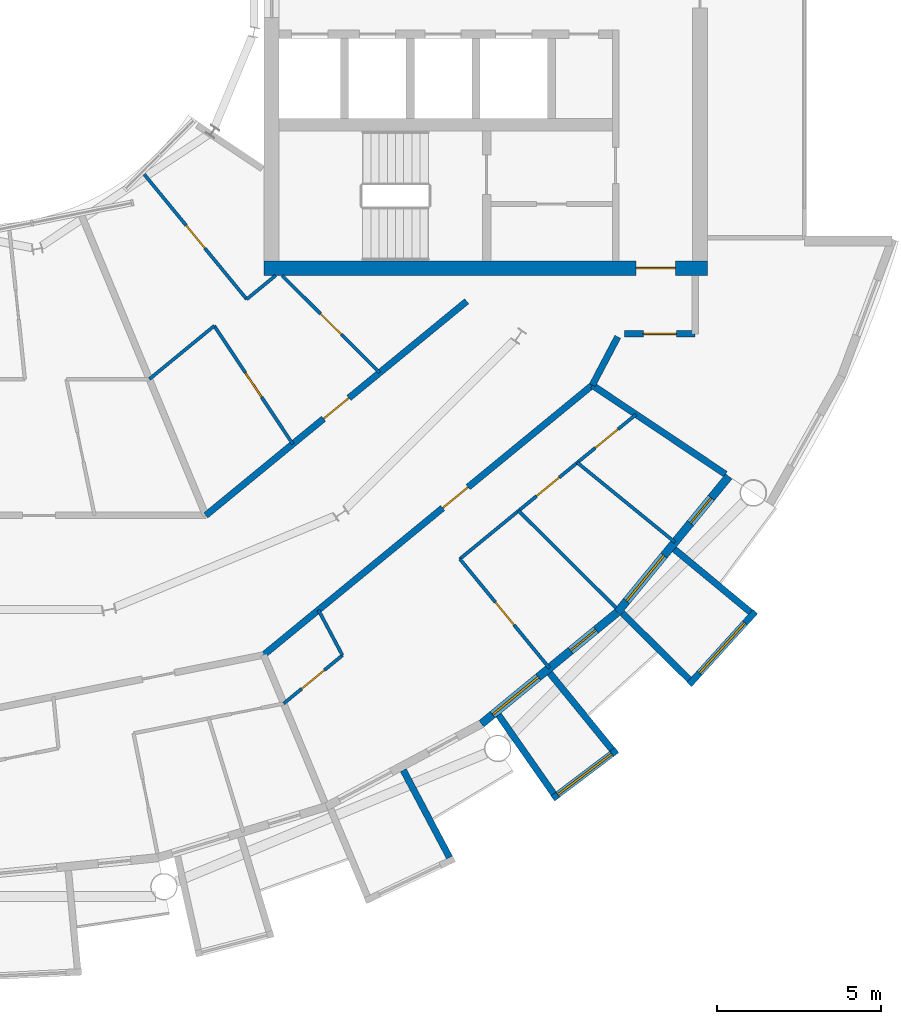
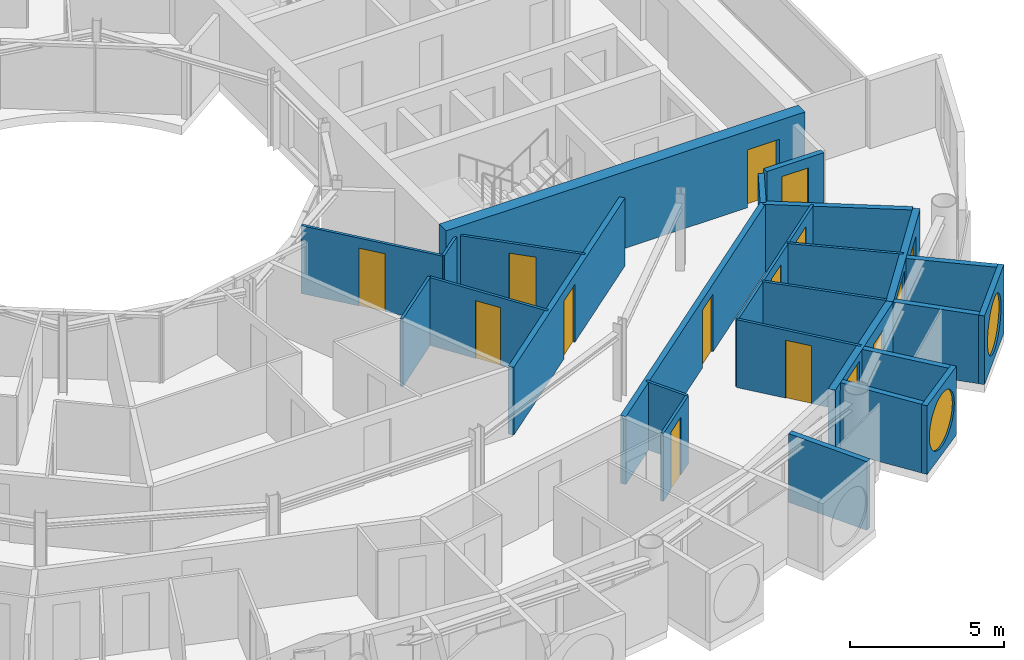
# One storey, part 18 of 27: 26 walls, 13 doors, 4 windows, 17 openings.
"""IFC4 building model written with IfcOpenShell, lengths in metres."""

from ifc_helpers import new_model, si_unit, direction, frame, frame_2d, origin, place, context, subcontext, project, spatial, rectangle, circle, extrude, material, layer, layer_set, type_object, element, fill, save


model = new_model("IFC4")

# Units and contexts
model_context = context("Model", 3, precision=1e-05, world=origin(), true_north=direction((0.0, 1.0)))
body_context = subcontext(model_context, "Body", "Model", "MODEL_VIEW")
ifc_project = project(units=[si_unit("LENGTHUNIT", "METRE"), si_unit("AREAUNIT", "SQUARE_METRE"), si_unit("VOLUMEUNIT", "CUBIC_METRE"), si_unit("PLANEANGLEUNIT", "RADIAN"), si_unit("MASSUNIT", "GRAM", prefix="KILO")], contexts=[model_context])

# Site, building, storey
site_placement = place(None, origin())
site = spatial("IfcSite", under=ifc_project, at=site_placement, CompositionType="ELEMENT")
building_placement = place(site_placement, origin())
building = spatial("IfcBuilding", under=site, at=building_placement, Name="Maasbend Ring Residences", CompositionType="ELEMENT")
storey_placement = place(building_placement, frame((0.0, 0.0, 199.35009765625)))
storey = spatial("IfcBuildingStorey", under=building, at=storey_placement, Name="L57", CompositionType="ELEMENT", Elevation=199.35009765625)

# Wall, opening, door
ifc_material_1 = material(Name="Concrete C50/60", Category="concrete")
ifc_layer_1 = layer(ifc_material_1, 0.449951171875)
ifc_layer_set_1 = layer_set([ifc_layer_1], Name="Concrete C50/60")
wall_type_1 = type_object("IfcWallType", Name="CORE WALL 450 C50/60", PredefinedType="SHEAR", material=ifc_layer_set_1)
wall_1_placement = place(storey_placement, frame((8.550048828125, -8.824951171875, 0.0), z_axis=(0.0, 0.0, 1.0), x_axis=(1.0, 0.0, 0.0)))
wall_1 = element("IfcWall", 1, at=wall_1_placement, inside=storey, type_object=wall_type_1, Name="L57 core E wall PS", PredefinedType="SHEAR", context=body_context, shape_type="SweptSolid", body=[
    extrude(rectangle(XDim=13.5, YDim=0.449951171875, at=frame_2d((6.75, 0.0))), origin(), (0.0, 0.0, 1.0), 3.0498046875),
])
opening_1_placement = place(wall_1_placement, frame((11.324951171875, 0.0, 0.0)))
opening_1 = element("IfcOpeningElement", 2, at=opening_1_placement, cuts=wall_1, Name="Opening D-E5716", PredefinedType="OPENING", context=body_context, shape_type="SweptSolid", body=[
    extrude(rectangle(XDim=1.199951171875, YDim=2.300048828125, at=frame_2d((0.60009765625, 1.14990234375))), frame((0.0, 0.23486328125, 0.0), z_axis=(0.0, -1.0, 0.0), x_axis=(1.0, 0.0, 0.0)), (0.0, 0.0, 1.0), 0.469970703125),
])
ifc_material_2 = material(Name="Steel, powder coated", Category="steel")
door_type_1 = type_object("IfcDoorType", Name="CORRIDOR DOOR 1200 X 2300 FD30S", OperationType="NOTDEFINED", PredefinedType="DOOR", material=ifc_material_2)
door_1_placement = place(opening_1_placement, origin())
door_1 = element("IfcDoor", 3, at=door_1_placement, inside=storey, type_object=door_type_1, Name="Corridor door L57", OperationType="SINGLE_SWING_LEFT", OverallHeight=2.300048828125, OverallWidth=1.199951171875, PredefinedType="DOOR", context=body_context, shape_type="SweptSolid", body=[
    extrude(rectangle(XDim=1.199951171875, YDim=2.300048828125, at=frame_2d((0.60009765625, 1.14990234375))), frame((0.0, 0.02490234375, 0.0), z_axis=(0.0, -1.0, 0.0), x_axis=(1.0, 0.0, 0.0)), (0.0, 0.0, 1.0), 0.050048828125),
])
fill(opening_1, door_1)

# Wall
ifc_material_3 = material(Name="Concrete C30/37", Category="concrete")
ifc_layer_2 = layer(ifc_material_3, 0.199951171875)
ifc_layer_set_2 = layer_set([ifc_layer_2], Name="Concrete C30/37")
wall_type_2 = type_object("IfcWallType", Name="CORRIDOR WALL 200 CONCRETE", PredefinedType="PARTITIONING", material=ifc_layer_set_2)
wall_2_placement = place(storey_placement, frame((18.5419921875, -12.388916015625, 0.0), z_axis=(0.0, 0.0, 1.0), x_axis=(0.465359652486, 0.885121683068, 0.0)))
element("IfcWall", 4, at=wall_2_placement, inside=storey, type_object=wall_type_2, Name="U-L57-w010", PredefinedType="PARTITIONING", context=body_context, shape_type="SweptSolid", body=[
    extrude(rectangle(XDim=1.665283203125, YDim=0.199951171875, at=frame_2d((0.83251953125, 0.0))), origin(), (0.0, 0.0, 1.0), 2.699951171875),
])

# Wall, opening, door
wall_3_placement = place(storey_placement, frame((8.533935546875, -20.60302734375, 0.0), z_axis=(0.0, 0.0, 1.0), x_axis=(0.772983503654, 0.634426121056, 0.0)))
wall_3 = element("IfcWall", 5, at=wall_3_placement, inside=storey, type_object=wall_type_2, Name="U-L57-w016", PredefinedType="PARTITIONING", context=body_context, shape_type="SweptSolid", body=[
    extrude(rectangle(XDim=12.947265625, YDim=0.199951171875, at=frame_2d((6.4736328125, 0.0))), origin(), (0.0, 0.0, 1.0), 2.699951171875),
])
opening_2_placement = place(wall_3_placement, frame((7.052978515625, 0.0, 0.0)))
opening_2 = element("IfcOpeningElement", 6, at=opening_2_placement, cuts=wall_3, Name="Opening D-5744", PredefinedType="OPENING", context=body_context, shape_type="SweptSolid", body=[
    extrude(rectangle(XDim=1.0, YDim=2.300048828125, at=frame_2d((0.5, 1.14990234375))), frame((0.0, 0.10986328125, 0.0), z_axis=(0.0, -1.0, 0.0), x_axis=(1.0, 0.0, 0.0)), (0.0, 0.0, 1.0), 0.219970703125),
])
ifc_material_4 = material(Name="Timber, fire-rated, painted", Category="wood")
door_type_2 = type_object("IfcDoorType", Name="FLAT ENTRANCE DOOR 1000 X 2300 FIRE-RATED", OperationType="NOTDEFINED", PredefinedType="DOOR", material=ifc_material_4)
door_2_placement = place(opening_2_placement, origin())
door_2 = element("IfcDoor", 7, at=door_2_placement, inside=storey, type_object=door_type_2, Name="D-5744", OperationType="SINGLE_SWING_RIGHT", OverallHeight=2.300048828125, OverallWidth=1.0, PredefinedType="DOOR", context=body_context, shape_type="SweptSolid", body=[
    extrude(rectangle(XDim=1.0, YDim=2.300048828125, at=frame_2d((0.5, 1.14990234375))), frame((0.0, 0.02490234375, 0.0), z_axis=(0.0, -1.0, 0.0), x_axis=(1.0, 0.0, 0.0)), (0.0, 0.0, 1.0), 0.050048828125),
])
fill(opening_2, door_2)

wall_4_placement = place(storey_placement, frame((6.77294921875, -16.35302734375, 0.0), z_axis=(0.0, 0.0, 1.0), x_axis=(0.773034536097, 0.634363938131, 0.0)))
wall_4 = element("IfcWall", 8, at=wall_4_placement, inside=storey, type_object=wall_type_2, Name="U-L57-w018", PredefinedType="PARTITIONING", context=body_context, shape_type="SweptSolid", body=[
    extrude(rectangle(XDim=10.276611328125, YDim=0.199951171875, at=frame_2d((5.13818359375, 0.0))), origin(), (0.0, 0.0, 1.0), 2.699951171875),
])
opening_3_placement = place(wall_4_placement, frame((4.637939453125, 0.0, 0.0)))
opening_3 = element("IfcOpeningElement", 9, at=opening_3_placement, cuts=wall_4, Name="Opening D-5757", PredefinedType="OPENING", context=body_context, shape_type="SweptSolid", body=[
    extrude(rectangle(XDim=1.0, YDim=2.300048828125, at=frame_2d((0.5, 1.14990234375))), frame((0.0, 0.10986328125, 0.0), z_axis=(0.0, -1.0, 0.0), x_axis=(1.0, 0.0, 0.0)), (0.0, 0.0, 1.0), 0.219970703125),
])
door_3_placement = place(opening_3_placement, origin())
door_3 = element("IfcDoor", 10, at=door_3_placement, inside=storey, type_object=door_type_2, Name="D-5757", OperationType="SINGLE_SWING_RIGHT", OverallHeight=2.300048828125, OverallWidth=1.0, PredefinedType="DOOR", context=body_context, shape_type="SweptSolid", body=[
    extrude(rectangle(XDim=1.0, YDim=2.300048828125, at=frame_2d((0.5, 1.14990234375))), frame((0.0, 0.02490234375, 0.0), z_axis=(0.0, -1.0, 0.0), x_axis=(1.0, 0.0, 0.0)), (0.0, 0.0, 1.0), 0.050048828125),
])
fill(opening_3, door_3)

wall_5_placement = place(storey_placement, frame((19.52294921875, -10.824951171875, 0.0), z_axis=(0.0, 0.0, 1.0), x_axis=(1.0, 0.0, 0.0)))
wall_5 = element("IfcWall", 11, at=wall_5_placement, inside=storey, type_object=wall_type_2, Name="U-L57-w027", PredefinedType="PARTITIONING", context=body_context, shape_type="SweptSolid", body=[
    extrude(rectangle(XDim=2.152099609375, YDim=0.199951171875, at=frame_2d((1.076171875, 0.0))), origin(), (0.0, 0.0, 1.0), 2.699951171875),
])
opening_4_placement = place(wall_5_placement, frame((0.575927734375, 0.0, 0.0)))
opening_4 = element("IfcOpeningElement", 12, at=opening_4_placement, cuts=wall_5, Name="Opening D-5763", PredefinedType="OPENING", context=body_context, shape_type="SweptSolid", body=[
    extrude(rectangle(XDim=1.0, YDim=2.300048828125, at=frame_2d((0.5, 1.14990234375))), frame((0.0, 0.10986328125, 0.0), z_axis=(0.0, -1.0, 0.0), x_axis=(1.0, 0.0, 0.0)), (0.0, 0.0, 1.0), 0.219970703125),
])
ifc_material_5 = material(Name="Timber, painted", Category="wood")
door_type_3 = type_object("IfcDoorType", Name="ROOM DOOR 1000 X 2300", OperationType="NOTDEFINED", PredefinedType="DOOR", material=ifc_material_5)
door_4_placement = place(opening_4_placement, origin())
door_4 = element("IfcDoor", 13, at=door_4_placement, inside=storey, type_object=door_type_3, Name="D-5763", OperationType="SINGLE_SWING_LEFT", OverallHeight=2.300048828125, OverallWidth=1.0, PredefinedType="DOOR", context=body_context, shape_type="SweptSolid", body=[
    extrude(rectangle(XDim=1.0, YDim=2.300048828125, at=frame_2d((0.5, 1.14990234375))), frame((0.0, 0.02490234375, 0.0), z_axis=(0.0, -1.0, 0.0), x_axis=(1.0, 0.0, 0.0)), (0.0, 0.0, 1.0), 0.050048828125),
])
fill(opening_4, door_4)

# Wall
ifc_material_6 = material(Name="Pale anodised aluminium panel", Category="aluminium")
ifc_layer_3 = layer(ifc_material_6, 0.199951171875)
ifc_layer_set_3 = layer_set([ifc_layer_3], Name="EW-BOX")
wall_type_3 = type_object("IfcWallType", Name="EW-BOX", PredefinedType="SOLIDWALL", material=ifc_layer_set_3)
wall_6_placement = place(storey_placement, frame((12.787109375, -24.113037109375, -0.030029296875), z_axis=(0.0, 0.0, 1.0), x_axis=(0.468365282436, -0.883534924159, 0.0)))
element("IfcWall", 14, at=wall_6_placement, inside=storey, type_object=wall_type_3, Name="Box side wall S15 right", PredefinedType="SOLIDWALL", context=body_context, shape_type="SweptSolid", body=[
    extrude(rectangle(XDim=3.006103515625, YDim=0.199951171875, at=frame_2d((1.5029296875, 0.0))), origin(), (0.0, 0.0, 1.0), 2.72998046875),
])

# Wall, opening, window
wall_7_placement = place(storey_placement, frame((17.3369140625, -24.971923828125, -0.030029296875), z_axis=(0.0, 0.0, 1.0), x_axis=(0.797887588059, 0.602806268067, 0.0)))
wall_7 = element("IfcWall", 15, at=wall_7_placement, inside=storey, type_object=wall_type_3, Name="Box front S17", PredefinedType="SOLIDWALL", context=body_context, shape_type="SweptSolid", body=[
    extrude(rectangle(XDim=2.446533203125, YDim=0.199951171875, at=frame_2d((1.22314453125, 0.0))), origin(), (0.0, 0.0, 1.0), 2.72998046875),
])
opening_5_placement = place(wall_7_placement, frame((0.182861328125, 0.0, 0.330078125)))
opening_5 = element("IfcOpeningElement", 16, at=opening_5_placement, cuts=wall_7, Name="Opening W-RD", PredefinedType="OPENING", context=body_context, shape_type="SweptSolid", body=[
    extrude(circle(Radius=1.0400390625, at=frame_2d((1.0400390625, 1.0400390625))), frame((0.0, 0.10986328125, 0.0), z_axis=(0.0, -1.0, 0.0), x_axis=(1.0, 0.0, 0.0)), (0.0, 0.0, 1.0), 0.219970703125),
])
ifc_material_7 = material(Name="Aluminium and clear glass", Category="aluminium")
window_type_1 = type_object("IfcWindowType", Name="W-RD", PartitioningType="SINGLE_PANEL", PredefinedType="WINDOW", material=ifc_material_7)
window_1_placement = place(opening_5_placement, origin())
window_1 = element("IfcWindow", 17, at=window_1_placement, inside=storey, type_object=window_type_1, Name="Round window S17", OverallHeight=2.080078125, OverallWidth=2.080078125, PartitioningType="SINGLE_PANEL", PredefinedType="WINDOW", context=body_context, shape_type="SweptSolid", body=[
    extrude(circle(Radius=1.0400390625, at=frame_2d((1.0400390625, 1.0400390625))), frame((0.0, 0.030029296875, 0.0), z_axis=(0.0, -1.0, 0.0), x_axis=(1.0, 0.0, 0.0)), (0.0, 0.0, 1.0), 0.06005859375),
])
fill(opening_5, window_1)

# Walls
wall_8_placement = place(storey_placement, frame((15.68798828125, -22.43310546875, -0.030029296875), z_axis=(0.0, 0.0, 1.0), x_axis=(0.573260687834, -0.819373043115, 0.0)))
element("IfcWall", 18, at=wall_8_placement, inside=storey, type_object=wall_type_3, Name="Box side wall S17 left", PredefinedType="SOLIDWALL", context=body_context, shape_type="SweptSolid", body=[
    extrude(rectangle(XDim=2.92529296875, YDim=0.199951171875, at=frame_2d((1.462646484375, 0.0))), origin(), (0.0, 0.0, 1.0), 2.72998046875),
])
wall_9_placement = place(storey_placement, frame((17.24609375, -21.155029296875, -0.030029296875), z_axis=(0.0, 0.0, 1.0), x_axis=(0.631741648902, -0.775179004516, 0.0)))
element("IfcWall", 19, at=wall_9_placement, inside=storey, type_object=wall_type_3, Name="Box side wall S17 right", PredefinedType="SOLIDWALL", context=body_context, shape_type="SweptSolid", body=[
    extrude(rectangle(XDim=3.005859375, YDim=0.199951171875, at=frame_2d((1.5029296875, 0.0))), origin(), (0.0, 0.0, 1.0), 2.72998046875),
])

# Wall, opening, window
wall_10_placement = place(storey_placement, frame((21.492919921875, -21.5, -0.030029296875), z_axis=(0.0, 0.0, 1.0), x_axis=(0.671506829416, 0.740998365753, 0.0)))
wall_10 = element("IfcWall", 20, at=wall_10_placement, inside=storey, type_object=wall_type_3, Name="Box front S19", PredefinedType="SOLIDWALL", context=body_context, shape_type="SweptSolid", body=[
    extrude(rectangle(XDim=2.9931640625, YDim=0.199951171875, at=frame_2d((1.49658203125, 0.0))), origin(), (0.0, 0.0, 1.0), 2.72998046875),
])
opening_6_placement = place(wall_10_placement, frame((0.45654296875, 0.0, 0.330078125)))
opening_6 = element("IfcOpeningElement", 21, at=opening_6_placement, cuts=wall_10, Name="Opening W-RD", PredefinedType="OPENING", context=body_context, shape_type="SweptSolid", body=[
    extrude(circle(Radius=1.0400390625, at=frame_2d((1.0400390625, 1.0400390625))), frame((0.0, 0.10986328125, 0.0), z_axis=(0.0, -1.0, 0.0), x_axis=(1.0, 0.0, 0.0)), (0.0, 0.0, 1.0), 0.219970703125),
])
window_2_placement = place(opening_6_placement, origin())
window_2 = element("IfcWindow", 22, at=window_2_placement, inside=storey, type_object=window_type_1, Name="Round window S19", OverallHeight=2.080078125, OverallWidth=2.080078125, PartitioningType="SINGLE_PANEL", PredefinedType="WINDOW", context=body_context, shape_type="SweptSolid", body=[
    extrude(circle(Radius=1.0400390625, at=frame_2d((1.0400390625, 1.0400390625))), frame((0.0, 0.030029296875, 0.0), z_axis=(0.0, -1.0, 0.0), x_axis=(1.0, 0.0, 0.0)), (0.0, 0.0, 1.0), 0.06005859375),
])
fill(opening_6, window_2)

# Walls
wall_11_placement = place(storey_placement, frame((19.449951171875, -19.322998046875, -0.030029296875), z_axis=(0.0, 0.0, 1.0), x_axis=(0.709727076896, -0.704476739375, 0.0)))
element("IfcWall", 23, at=wall_11_placement, inside=storey, type_object=wall_type_3, Name="Box side wall S19 left", PredefinedType="SOLIDWALL", context=body_context, shape_type="SweptSolid", body=[
    extrude(rectangle(XDim=2.883056640625, YDim=0.199951171875, at=frame_2d((1.44140625, 0.0))), origin(), (0.0, 0.0, 1.0), 2.72998046875),
])
wall_12_placement = place(storey_placement, frame((21.041015625, -17.384033203125, -0.030029296875), z_axis=(0.0, 0.0, 1.0), x_axis=(0.770784861449, -0.63709551667, 0.0)))
element("IfcWall", 24, at=wall_12_placement, inside=storey, type_object=wall_type_3, Name="Box side wall S19 right", PredefinedType="SOLIDWALL", context=body_context, shape_type="SweptSolid", body=[
    extrude(rectangle(XDim=3.005859375, YDim=0.199951171875, at=frame_2d((1.5029296875, 0.0))), origin(), (0.0, 0.0, 1.0), 2.72998046875),
])

# Wall, openings, door, window
ifc_material_8 = material(Name="Aluminium clad insulated panel", Category="aluminium")
ifc_layer_4 = layer(ifc_material_8, 0.25)
ifc_layer_set_4 = layer_set([ifc_layer_4], Name="EW-GL")
wall_type_4 = type_object("IfcWallType", Name="EW-GL", PredefinedType="SOLIDWALL", material=ifc_layer_set_4)
wall_13_placement = place(storey_placement, frame((15.1669921875, -22.698974609375, 0.0), z_axis=(0.0, 0.0, 1.0), x_axis=(0.773019449054, 0.634382322723, 0.0)))
wall_13 = element("IfcWall", 25, at=wall_13_placement, inside=storey, type_object=wall_type_4, Name="External wall S09", PredefinedType="SOLIDWALL", context=body_context, shape_type="SweptSolid", body=[
    extrude(rectangle(XDim=5.351806640625, YDim=0.25, at=frame_2d((2.67578125, 0.0))), origin(), (0.0, 0.0, 1.0), 2.699951171875),
])
opening_7_placement = place(wall_13_placement, frame((0.441162109375, 0.0, 0.300048828125)))
opening_7 = element("IfcOpeningElement", 26, at=opening_7_placement, cuts=wall_13, Name="Opening W-BX", PredefinedType="OPENING", context=body_context, shape_type="SweptSolid", body=[
    extrude(rectangle(XDim=1.800048828125, YDim=2.10009765625, at=frame_2d((0.89990234375, 1.050048828125))), frame((0.0, 0.135009765625, 0.0), z_axis=(0.0, -1.0, 0.0), x_axis=(1.0, 0.0, 0.0)), (0.0, 0.0, 1.0), 0.27001953125),
])
opening_8_placement = place(wall_13_placement, frame((3.510498046875, 0.0, 0.0)))
opening_8 = element("IfcOpeningElement", 27, at=opening_8_placement, cuts=wall_13, Name="Opening D-LG", PredefinedType="OPENING", context=body_context, shape_type="SweptSolid", body=[
    extrude(rectangle(XDim=1.0, YDim=2.199951171875, at=frame_2d((0.5, 1.10009765625))), frame((0.0, 0.135009765625, 0.0), z_axis=(0.0, -1.0, 0.0), x_axis=(1.0, 0.0, 0.0)), (0.0, 0.0, 1.0), 0.27001953125),
])
ifc_material_9 = material(Name="Aluminium and clear glass", Category="aluminium")
door_type_4 = type_object("IfcDoorType", Name="D-LG", OperationType="SINGLE_SWING_LEFT", PredefinedType="DOOR", material=ifc_material_9)
door_5_placement = place(opening_8_placement, origin())
door_5 = element("IfcDoor", 28, at=door_5_placement, inside=storey, type_object=door_type_4, Name="Loggia door S18", OperationType="SINGLE_SWING_LEFT", OverallHeight=2.199951171875, OverallWidth=1.0, PredefinedType="DOOR", context=body_context, shape_type="SweptSolid", body=[
    extrude(rectangle(XDim=1.0, YDim=2.199951171875, at=frame_2d((0.5, 1.10009765625))), frame((0.0, 0.02490234375, 0.0), z_axis=(0.0, -1.0, 0.0), x_axis=(1.0, 0.0, 0.0)), (0.0, 0.0, 1.0), 0.050048828125),
])
fill(opening_8, door_5)
ifc_material_10 = material(Name="Aluminium and clear glass", Category="aluminium")
window_type_2 = type_object("IfcWindowType", Name="W-BX", PartitioningType="DOUBLE_PANEL_VERTICAL", PredefinedType="WINDOW", material=ifc_material_10)
window_3_placement = place(opening_7_placement, origin())
window_3 = element("IfcWindow", 29, at=window_3_placement, inside=storey, type_object=window_type_2, Name="Window S17 room to box", OverallHeight=2.10009765625, OverallWidth=1.800048828125, PartitioningType="SINGLE_PANEL", PredefinedType="WINDOW", context=body_context, shape_type="SweptSolid", body=[
    extrude(rectangle(XDim=1.800048828125, YDim=2.10009765625, at=frame_2d((0.89990234375, 1.050048828125))), frame((0.0, 0.030029296875, 0.0), z_axis=(0.0, -1.0, 0.0), x_axis=(1.0, 0.0, 0.0)), (0.0, 0.0, 1.0), 0.06005859375),
])
fill(opening_7, window_3)

wall_14_placement = place(storey_placement, frame((19.303955078125, -19.303955078125, 0.0), z_axis=(0.0, 0.0, 1.0), x_axis=(0.634382322723, 0.773019449054, 0.0)))
wall_14 = element("IfcWall", 30, at=wall_14_placement, inside=storey, type_object=wall_type_4, Name="External wall S10", PredefinedType="SOLIDWALL", context=body_context, shape_type="SweptSolid", body=[
    extrude(rectangle(XDim=5.351806640625, YDim=0.25, at=frame_2d((2.67578125, 0.0))), origin(), (0.0, 0.0, 1.0), 2.699951171875),
])
opening_9_placement = place(wall_14_placement, frame((0.441162109375, 0.0, 0.300048828125)))
opening_9 = element("IfcOpeningElement", 31, at=opening_9_placement, cuts=wall_14, Name="Opening W-BX", PredefinedType="OPENING", context=body_context, shape_type="SweptSolid", body=[
    extrude(rectangle(XDim=1.800048828125, YDim=2.10009765625, at=frame_2d((0.89990234375, 1.050048828125))), frame((0.0, 0.135009765625, 0.0), z_axis=(0.0, -1.0, 0.0), x_axis=(1.0, 0.0, 0.0)), (0.0, 0.0, 1.0), 0.27001953125),
])
opening_10_placement = place(wall_14_placement, frame((3.510498046875, 0.0, 0.0)))
opening_10 = element("IfcOpeningElement", 32, at=opening_10_placement, cuts=wall_14, Name="Opening D-LG", PredefinedType="OPENING", context=body_context, shape_type="SweptSolid", body=[
    extrude(rectangle(XDim=1.0, YDim=2.199951171875, at=frame_2d((0.5, 1.10009765625))), frame((0.0, 0.135009765625, 0.0), z_axis=(0.0, -1.0, 0.0), x_axis=(1.0, 0.0, 0.0)), (0.0, 0.0, 1.0), 0.27001953125),
])
door_6_placement = place(opening_10_placement, origin())
door_6 = element("IfcDoor", 33, at=door_6_placement, inside=storey, type_object=door_type_4, Name="Loggia door S20", OperationType="SINGLE_SWING_LEFT", OverallHeight=2.199951171875, OverallWidth=1.0, PredefinedType="DOOR", context=body_context, shape_type="SweptSolid", body=[
    extrude(rectangle(XDim=1.0, YDim=2.199951171875, at=frame_2d((0.5, 1.10009765625))), frame((0.0, 0.02490234375, 0.0), z_axis=(0.0, -1.0, 0.0), x_axis=(1.0, 0.0, 0.0)), (0.0, 0.0, 1.0), 0.050048828125),
])
fill(opening_10, door_6)
window_4_placement = place(opening_9_placement, origin())
window_4 = element("IfcWindow", 34, at=window_4_placement, inside=storey, type_object=window_type_2, Name="Window S19 room to box", OverallHeight=2.10009765625, OverallWidth=1.800048828125, PartitioningType="SINGLE_PANEL", PredefinedType="WINDOW", context=body_context, shape_type="SweptSolid", body=[
    extrude(rectangle(XDim=1.800048828125, YDim=2.10009765625, at=frame_2d((0.89990234375, 1.050048828125))), frame((0.0, 0.030029296875, 0.0), z_axis=(0.0, -1.0, 0.0), x_axis=(1.0, 0.0, 0.0)), (0.0, 0.0, 1.0), 0.06005859375),
])
fill(opening_9, window_4)

# Wall, opening, door
ifc_material_11 = material(Name="Gypsum board on steel studs", Category="steel")
ifc_layer_5 = layer(ifc_material_11, 0.10009765625)
ifc_layer_set_5 = layer_set([ifc_layer_5], Name="PARTITION 100 GYPSUM")
wall_type_5 = type_object("IfcWallType", Name="PARTITION 100 GYPSUM", PredefinedType="PARTITIONING", material=ifc_layer_set_5)
wall_15_placement = place(storey_placement, frame((9.14599609375, -22.0810546875, 0.0), z_axis=(0.0, 0.0, 1.0), x_axis=(0.773095932958, 0.634289112663, 0.0)))
wall_15 = element("IfcWall", 35, at=wall_15_placement, inside=storey, type_object=wall_type_5, Name="U-L57-w007", PredefinedType="PARTITIONING", context=body_context, shape_type="SweptSolid", body=[
    extrude(rectangle(XDim=2.31298828125, YDim=0.10009765625, at=frame_2d((1.156494140625, 0.0))), origin(), (0.0, 0.0, 1.0), 2.699951171875),
])
opening_11_placement = place(wall_15_placement, frame((0.7060546875, 0.0, 0.0)))
opening_11 = element("IfcOpeningElement", 36, at=opening_11_placement, cuts=wall_15, Name="Opening D-5745", PredefinedType="OPENING", context=body_context, shape_type="SweptSolid", body=[
    extrude(rectangle(XDim=0.89990234375, YDim=2.300048828125, at=frame_2d((0.449951171875, 1.14990234375))), frame((0.0, 0.06005859375, 0.0), z_axis=(0.0, -1.0, 0.0), x_axis=(1.0, 0.0, 0.0)), (0.0, 0.0, 1.0), 0.1201171875),
])
ifc_material_12 = material(Name="Timber, painted", Category="wood")
door_type_5 = type_object("IfcDoorType", Name="INTERNAL DOOR 900 X 2300", OperationType="NOTDEFINED", PredefinedType="DOOR", material=ifc_material_12)
door_7_placement = place(opening_11_placement, origin())
door_7 = element("IfcDoor", 37, at=door_7_placement, inside=storey, type_object=door_type_5, Name="D-5745", OperationType="SINGLE_SWING_LEFT", OverallHeight=2.300048828125, OverallWidth=0.89990234375, PredefinedType="DOOR", context=body_context, shape_type="SweptSolid", body=[
    extrude(rectangle(XDim=0.89990234375, YDim=2.300048828125, at=frame_2d((0.449951171875, 1.14990234375))), frame((0.0, 0.02490234375, 0.0), z_axis=(0.0, -1.0, 0.0), x_axis=(1.0, 0.0, 0.0)), (0.0, 0.0, 1.0), 0.050048828125),
])
fill(opening_11, door_7)

# Wall, openings, doors
wall_16_placement = place(storey_placement, frame((14.508056640625, -17.680908203125, 0.0), z_axis=(0.0, 0.0, 1.0), x_axis=(0.773155647559, 0.634216323227, 0.0)))
wall_16 = element("IfcWall", 38, at=wall_16_placement, inside=storey, type_object=wall_type_5, Name="U-L57-w008", PredefinedType="PARTITIONING", context=body_context, shape_type="SweptSolid", body=[
    extrude(rectangle(XDim=6.93896484375, YDim=0.10009765625, at=frame_2d((3.469482421875, 0.0))), origin(), (0.0, 0.0, 1.0), 2.699951171875),
])
opening_12_placement = place(wall_16_placement, frame((3.01904296875, 0.0, 0.0)))
opening_12 = element("IfcOpeningElement", 39, at=opening_12_placement, cuts=wall_16, Name="Opening D-5747", PredefinedType="OPENING", context=body_context, shape_type="SweptSolid", body=[
    extrude(rectangle(XDim=0.89990234375, YDim=2.300048828125, at=frame_2d((0.449951171875, 1.14990234375))), frame((0.0, 0.06005859375, 0.0), z_axis=(0.0, -1.0, 0.0), x_axis=(1.0, 0.0, 0.0)), (0.0, 0.0, 1.0), 0.1201171875),
])
opening_13_placement = place(wall_16_placement, frame((5.333984375, 0.0, 0.0)))
opening_13 = element("IfcOpeningElement", 40, at=opening_13_placement, cuts=wall_16, Name="Opening D-5748", PredefinedType="OPENING", context=body_context, shape_type="SweptSolid", body=[
    extrude(rectangle(XDim=0.89990234375, YDim=2.300048828125, at=frame_2d((0.449951171875, 1.14990234375))), frame((0.0, 0.06005859375, 0.0), z_axis=(0.0, -1.0, 0.0), x_axis=(1.0, 0.0, 0.0)), (0.0, 0.0, 1.0), 0.1201171875),
])
door_8_placement = place(opening_12_placement, origin())
door_8 = element("IfcDoor", 41, at=door_8_placement, inside=storey, type_object=door_type_5, Name="D-5747", OperationType="SINGLE_SWING_LEFT", OverallHeight=2.300048828125, OverallWidth=0.89990234375, PredefinedType="DOOR", context=body_context, shape_type="SweptSolid", body=[
    extrude(rectangle(XDim=0.89990234375, YDim=2.300048828125, at=frame_2d((0.449951171875, 1.14990234375))), frame((0.0, 0.02490234375, 0.0), z_axis=(0.0, -1.0, 0.0), x_axis=(1.0, 0.0, 0.0)), (0.0, 0.0, 1.0), 0.050048828125),
])
fill(opening_12, door_8)
door_9_placement = place(opening_13_placement, origin())
door_9 = element("IfcDoor", 42, at=door_9_placement, inside=storey, type_object=door_type_5, Name="D-5748", OperationType="SINGLE_SWING_RIGHT", OverallHeight=2.300048828125, OverallWidth=0.89990234375, PredefinedType="DOOR", context=body_context, shape_type="SweptSolid", body=[
    extrude(rectangle(XDim=0.89990234375, YDim=2.300048828125, at=frame_2d((0.449951171875, 1.14990234375))), frame((0.0, 0.02490234375, 0.0), z_axis=(0.0, -1.0, 0.0), x_axis=(1.0, 0.0, 0.0)), (0.0, 0.0, 1.0), 0.050048828125),
])
fill(opening_13, door_9)

# Walls
wall_17_placement = place(storey_placement, frame((5.054931640625, -12.2041015625, 0.0), z_axis=(0.0, 0.0, 1.0), x_axis=(0.772943675046, 0.634474645046, 0.0)))
element("IfcWall", 43, at=wall_17_placement, inside=storey, type_object=wall_type_5, Name="U-L57-w022", PredefinedType="PARTITIONING", context=body_context, shape_type="SweptSolid", body=[
    extrude(rectangle(XDim=2.556640625, YDim=0.10009765625, at=frame_2d((1.2783203125, 0.0))), origin(), (0.0, 0.0, 1.0), 2.699951171875),
])
wall_18_placement = place(storey_placement, frame((8.01708984375, -9.77294921875, 0.0), z_axis=(0.0, 0.0, 1.0), x_axis=(0.772786083133, 0.634666581534, 0.0)))
element("IfcWall", 44, at=wall_18_placement, inside=storey, type_object=wall_type_5, Name="U-L57-w023", PredefinedType="PARTITIONING", context=body_context, shape_type="SweptSolid", body=[
    extrude(rectangle(XDim=1.1435546875, YDim=0.10009765625, at=frame_2d((0.57177734375, 0.0))), origin(), (0.0, 0.0, 1.0), 2.699951171875),
])

# Wall, opening, door
wall_19_placement = place(storey_placement, frame((4.89794921875, -5.968017578125, 0.0), z_axis=(0.0, 0.0, 1.0), x_axis=(0.634401778971, -0.773003481776, 0.0)))
wall_19 = element("IfcWall", 45, at=wall_19_placement, inside=storey, type_object=wall_type_5, Name="U-L57-w071", PredefinedType="PARTITIONING", context=body_context, shape_type="SweptSolid", body=[
    extrude(rectangle(XDim=4.919677734375, YDim=0.10009765625, at=frame_2d((2.4599609375, 0.0))), origin(), (0.0, 0.0, 1.0), 2.699951171875),
])
opening_14_placement = place(wall_19_placement, frame((2.010009765625, 0.0, 0.0)))
opening_14 = element("IfcOpeningElement", 46, at=opening_14_placement, cuts=wall_19, Name="Opening D-5760", PredefinedType="OPENING", context=body_context, shape_type="SweptSolid", body=[
    extrude(rectangle(XDim=0.89990234375, YDim=2.300048828125, at=frame_2d((0.449951171875, 1.14990234375))), frame((0.0, 0.06005859375, 0.0), z_axis=(0.0, -1.0, 0.0), x_axis=(1.0, 0.0, 0.0)), (0.0, 0.0, 1.0), 0.1201171875),
])
door_10_placement = place(opening_14_placement, origin())
door_10 = element("IfcDoor", 47, at=door_10_placement, inside=storey, type_object=door_type_5, Name="D-5760", OperationType="SINGLE_SWING_RIGHT", OverallHeight=2.300048828125, OverallWidth=0.89990234375, PredefinedType="DOOR", context=body_context, shape_type="SweptSolid", body=[
    extrude(rectangle(XDim=0.89990234375, YDim=2.300048828125, at=frame_2d((0.449951171875, 1.14990234375))), frame((0.0, 0.02490234375, 0.0), z_axis=(0.0, -1.0, 0.0), x_axis=(1.0, 0.0, 0.0)), (0.0, 0.0, 1.0), 0.050048828125),
])
fill(opening_14, door_10)

wall_20_placement = place(storey_placement, frame((7.031005859375, -10.58203125, 0.0), z_axis=(0.0, 0.0, 1.0), x_axis=(0.553303732327, -0.832979579457, 0.0)))
wall_20 = element("IfcWall", 48, at=wall_20_placement, inside=storey, type_object=wall_type_5, Name="U-L57-w075", PredefinedType="PARTITIONING", context=body_context, shape_type="SweptSolid", body=[
    extrude(rectangle(XDim=4.3193359375, YDim=0.10009765625, at=frame_2d((2.15966796875, 0.0))), origin(), (0.0, 0.0, 1.0), 2.699951171875),
])
opening_15_placement = place(wall_20_placement, frame((1.7099609375, 0.0, 0.0)))
opening_15 = element("IfcOpeningElement", 49, at=opening_15_placement, cuts=wall_20, Name="Opening D-5758", PredefinedType="OPENING", context=body_context, shape_type="SweptSolid", body=[
    extrude(rectangle(XDim=0.89990234375, YDim=2.300048828125, at=frame_2d((0.449951171875, 1.14990234375))), frame((0.0, 0.06005859375, 0.0), z_axis=(0.0, -1.0, 0.0), x_axis=(1.0, 0.0, 0.0)), (0.0, 0.0, 1.0), 0.1201171875),
])
door_11_placement = place(opening_15_placement, origin())
door_11 = element("IfcDoor", 50, at=door_11_placement, inside=storey, type_object=door_type_5, Name="D-5758", OperationType="SINGLE_SWING_RIGHT", OverallHeight=2.300048828125, OverallWidth=0.89990234375, PredefinedType="DOOR", context=body_context, shape_type="SweptSolid", body=[
    extrude(rectangle(XDim=0.89990234375, YDim=2.300048828125, at=frame_2d((0.449951171875, 1.14990234375))), frame((0.0, 0.02490234375, 0.0), z_axis=(0.0, -1.0, 0.0), x_axis=(1.0, 0.0, 0.0)), (0.0, 0.0, 1.0), 0.050048828125),
])
fill(opening_15, door_11)

wall_21_placement = place(storey_placement, frame((9.096923828125, -9.050048828125, 0.0), z_axis=(0.0, 0.0, 1.0), x_axis=(0.708909651863, -0.705299302067, 0.0)))
wall_21 = element("IfcWall", 51, at=wall_21_placement, inside=storey, type_object=wall_type_5, Name="U-L57-w078", PredefinedType="PARTITIONING", context=body_context, shape_type="SweptSolid", body=[
    extrude(rectangle(XDim=4.192626953125, YDim=0.10009765625, at=frame_2d((2.09619140625, 0.0))), origin(), (0.0, 0.0, 1.0), 2.699951171875),
])
opening_16_placement = place(wall_21_placement, frame((1.64599609375, 0.0, 0.0)))
opening_16 = element("IfcOpeningElement", 52, at=opening_16_placement, cuts=wall_21, Name="Opening D-5759", PredefinedType="OPENING", context=body_context, shape_type="SweptSolid", body=[
    extrude(rectangle(XDim=0.89990234375, YDim=2.300048828125, at=frame_2d((0.449951171875, 1.14990234375))), frame((0.0, 0.06005859375, 0.0), z_axis=(0.0, -1.0, 0.0), x_axis=(1.0, 0.0, 0.0)), (0.0, 0.0, 1.0), 0.1201171875),
])
door_12_placement = place(opening_16_placement, origin())
door_12 = element("IfcDoor", 53, at=door_12_placement, inside=storey, type_object=door_type_5, Name="D-5759", OperationType="SINGLE_SWING_RIGHT", OverallHeight=2.300048828125, OverallWidth=0.89990234375, PredefinedType="DOOR", context=body_context, shape_type="SweptSolid", body=[
    extrude(rectangle(XDim=0.89990234375, YDim=2.300048828125, at=frame_2d((0.449951171875, 1.14990234375))), frame((0.0, 0.02490234375, 0.0), z_axis=(0.0, -1.0, 0.0), x_axis=(1.0, 0.0, 0.0)), (0.0, 0.0, 1.0), 0.050048828125),
])
fill(opening_16, door_12)

# Wall
wall_22_placement = place(storey_placement, frame((10.201904296875, -19.23388671875, 0.0), z_axis=(0.0, 0.0, 1.0), x_axis=(0.468648615763, -0.88338466986, 0.0)))
element("IfcWall", 54, at=wall_22_placement, inside=storey, type_object=wall_type_5, Name="U-L57-w079", PredefinedType="PARTITIONING", context=body_context, shape_type="SweptSolid", body=[
    extrude(rectangle(XDim=1.562255859375, YDim=0.10009765625, at=frame_2d((0.78125, 0.0))), origin(), (0.0, 0.0, 1.0), 2.699951171875),
])

# Wall, opening, door
wall_23_placement = place(storey_placement, frame((14.509033203125, -17.678955078125, 0.0), z_axis=(0.0, 0.0, 1.0), x_axis=(0.634342681687, -0.77305197897, 0.0)))
wall_23 = element("IfcWall", 55, at=wall_23_placement, inside=storey, type_object=wall_type_5, Name="U-L57-w082", PredefinedType="PARTITIONING", context=body_context, shape_type="SweptSolid", body=[
    extrude(rectangle(XDim=4.30517578125, YDim=0.10009765625, at=frame_2d((2.152587890625, 0.0))), origin(), (0.0, 0.0, 1.0), 2.699951171875),
])
opening_17_placement = place(wall_23_placement, frame((1.702880859375, 0.0, 0.0)))
opening_17 = element("IfcOpeningElement", 56, at=opening_17_placement, cuts=wall_23, Name="Opening D-5746", PredefinedType="OPENING", context=body_context, shape_type="SweptSolid", body=[
    extrude(rectangle(XDim=0.89990234375, YDim=2.300048828125, at=frame_2d((0.449951171875, 1.14990234375))), frame((0.0, 0.06005859375, 0.0), z_axis=(0.0, -1.0, 0.0), x_axis=(1.0, 0.0, 0.0)), (0.0, 0.0, 1.0), 0.1201171875),
])
door_13_placement = place(opening_17_placement, origin())
door_13 = element("IfcDoor", 57, at=door_13_placement, inside=storey, type_object=door_type_5, Name="D-5746", OperationType="SINGLE_SWING_RIGHT", OverallHeight=2.300048828125, OverallWidth=0.89990234375, PredefinedType="DOOR", context=body_context, shape_type="SweptSolid", body=[
    extrude(rectangle(XDim=0.89990234375, YDim=2.300048828125, at=frame_2d((0.449951171875, 1.14990234375))), frame((0.0, 0.02490234375, 0.0), z_axis=(0.0, -1.0, 0.0), x_axis=(1.0, 0.0, 0.0)), (0.0, 0.0, 1.0), 0.050048828125),
])
fill(opening_17, door_13)

# Walls
wall_24_placement = place(storey_placement, frame((16.2958984375, -16.212890625, 0.0), z_axis=(0.0, 0.0, 1.0), x_axis=(0.708999026534, -0.705209458511, 0.0)))
element("IfcWall", 58, at=wall_24_placement, inside=storey, type_object=wall_type_5, Name="U-L57-w084", PredefinedType="PARTITIONING", context=body_context, shape_type="SweptSolid", body=[
    extrude(rectangle(XDim=4.1875, YDim=0.10009765625, at=frame_2d((2.09375, 0.0))), origin(), (0.0, 0.0, 1.0), 2.699951171875),
])
wall_25_placement = place(storey_placement, frame((18.083984375, -14.7451171875, 0.0), z_axis=(0.0, 0.0, 1.0), x_axis=(0.77495020745, -0.632022290724, 0.0)))
element("IfcWall", 59, at=wall_25_placement, inside=storey, type_object=wall_type_5, Name="U-L57-w086", PredefinedType="PARTITIONING", context=body_context, shape_type="SweptSolid", body=[
    extrude(rectangle(XDim=3.841552734375, YDim=0.10009765625, at=frame_2d((1.9208984375, 0.0))), origin(), (0.0, 0.0, 1.0), 2.699951171875),
])
ifc_material_13 = material(Name="Concrete C30/37", Category="concrete")
ifc_layer_6 = layer(ifc_material_13, 0.199951171875)
ifc_layer_set_6 = layer_set([ifc_layer_6], Name="Concrete C30/37")
wall_type_6 = type_object("IfcWallType", Name="PARTY WALL 200 CONCRETE", PredefinedType="PARTITIONING", material=ifc_layer_set_6)
wall_26_placement = place(storey_placement, frame((18.5419921875, -12.388916015625, 0.0), z_axis=(0.0, 0.0, 1.0), x_axis=(0.831387096605, -0.55569370664, 0.0)))
element("IfcWall", 60, at=wall_26_placement, inside=storey, type_object=wall_type_6, Name="U-L57-w088", PredefinedType="PARTITIONING", context=body_context, shape_type="SweptSolid", body=[
    extrude(rectangle(XDim=4.875, YDim=0.199951171875, at=frame_2d((2.4375, 0.0))), origin(), (0.0, 0.0, 1.0), 2.699951171875),
])

save(model, "model.ifc")
